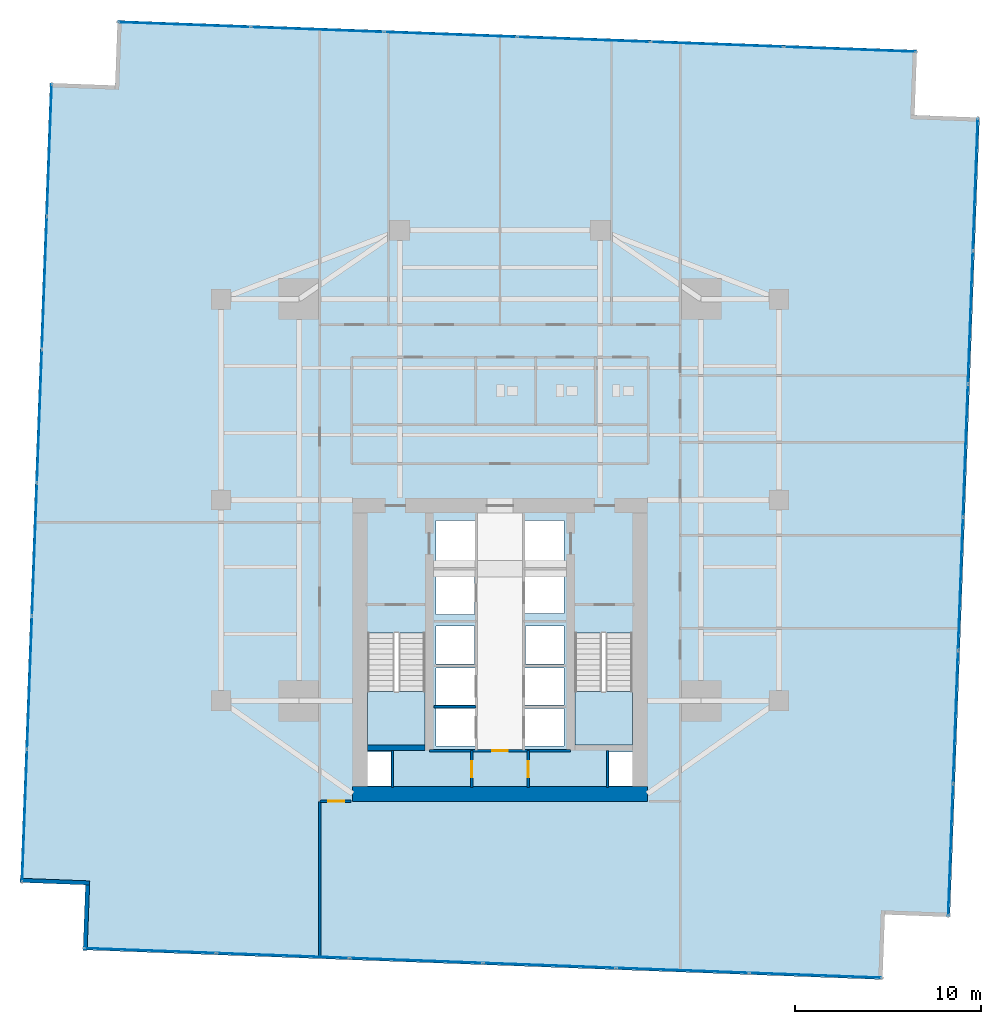
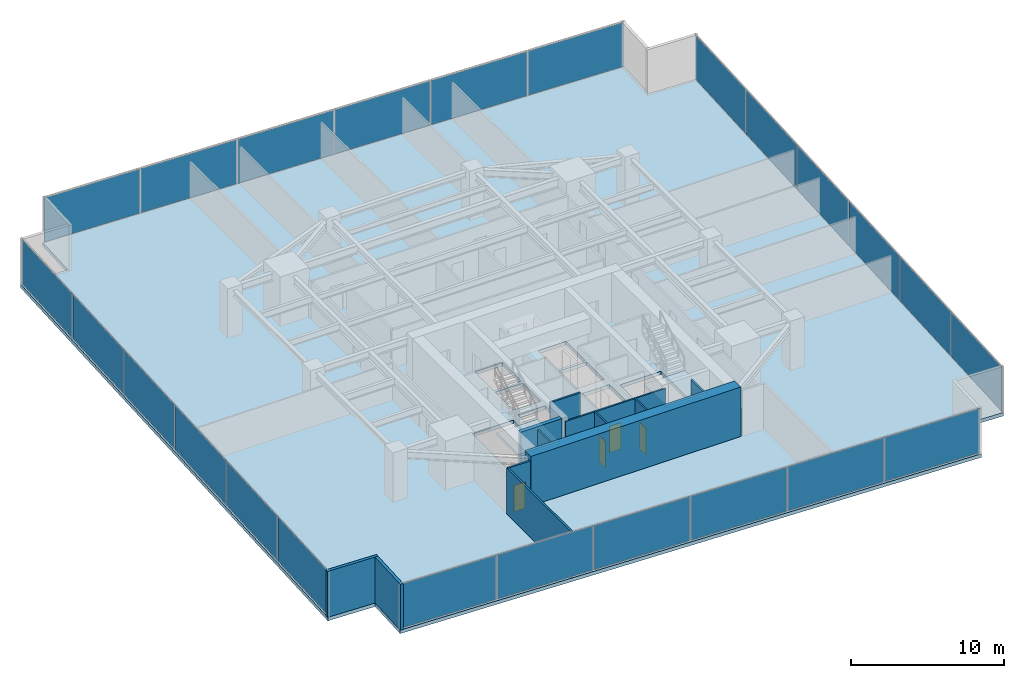
# One storey, part 26 of 30: 24 plates, 12 walls, 4 doors, 3 slabs, 4 openings, 6 elements without a shape of their own.
"""IFC4 building model written with IfcOpenShell, lengths in metres."""

import ifcopenshell
import ifcopenshell.guid

model = None  # the IFC model being written
_history = None  # IfcOwnerHistory: only IFC2X3 demands one
_inside = {}  # id of a spatial element -> (the spatial element, [elements in it])
_under = {}  # id of a project, library or spatial element -> (it, [spatial elements below it])
_declared = {}  # id of a project -> (the project, [libraries it declares])
_typed = {}  # id of a type object -> (the type object, [elements of that type])
_made_of = {}  # id of a material, layer set ... -> (it, [elements and type objects made of it])


def new_model(schema):
    """Start an empty IFC model of exactly this schema.

    Asked for "IFC4X3", IfcOpenShell would pick the latest addendum, in which some entities
    have other attributes; the version numbers below select the first issue.
    IFC2X3 requires an IfcOwnerHistory on every rooted entity: one is made here for all.
    """
    global model, _history
    if schema == "IFC4X3":
        model = ifcopenshell.file(schema_version=(4, 3, 0, 0))
    else:
        model = ifcopenshell.file(schema=schema)
    _inside.clear()
    _under.clear()
    _declared.clear()
    _typed.clear()
    _made_of.clear()
    _history = None
    if model.schema == "IFC2X3":
        org = make("IfcOrganization", Name="unknown")
        user = make(
            "IfcPersonAndOrganization",
            ThePerson=make("IfcPerson", FamilyName="unknown"),
            TheOrganization=org,
        )
        app = make(
            "IfcApplication",
            ApplicationDeveloper=org,
            Version="unknown",
            ApplicationFullName="unknown",
            ApplicationIdentifier="unknown",
        )
        _history = make(
            "IfcOwnerHistory",
            OwningUser=user,
            OwningApplication=app,
            ChangeAction="ADDED",
            CreationDate=0,
        )
    return model


def make(cls, **values):
    """One entity of the class cls with the attributes given. An attribute that is None is left unset."""
    return model.create_entity(
        cls, **{name: value for name, value in values.items() if value is not None}
    )


def rooted(cls, **values):
    """An entity with a GlobalId (a new one), such as an element, a storey or a relation."""
    return make(cls, GlobalId=ifcopenshell.guid.new(), OwnerHistory=_history, **values)


def si_unit(unit_type, name, prefix=None):
    """IfcSIUnit, for example si_unit("LENGTHUNIT", "METRE", prefix="MILLI")."""
    return make("IfcSIUnit", UnitType=unit_type, Prefix=prefix, Name=name)


def assignment(units):
    """IfcUnitAssignment: the units of a project."""
    return None if units is None else make("IfcUnitAssignment", Units=units)


def point(xyz):
    """IfcCartesianPoint."""
    return None if xyz is None else make("IfcCartesianPoint", Coordinates=xyz)


def direction(xyz):
    """IfcDirection."""
    return None if xyz is None else make("IfcDirection", DirectionRatios=xyz)


def frame(location, z_axis=None, x_axis=None):
    """IfcAxis2Placement3D, a coordinate frame: its origin and axes. An axis left out is left unset."""
    return make(
        "IfcAxis2Placement3D",
        Location=point(location),
        Axis=direction(z_axis),
        RefDirection=direction(x_axis),
    )


def frame_2d(location, x_axis=None):
    """IfcAxis2Placement2D, a coordinate frame in the plane: its origin and x axis."""
    return make(
        "IfcAxis2Placement2D", Location=point(location), RefDirection=direction(x_axis)
    )


def origin():
    """The frame at (0, 0, 0) with its axes left unset."""
    return frame((0.0, 0.0, 0.0))


def origin_2d():
    """The frame at (0, 0) in the plane with its x axis left unset."""
    return frame_2d((0.0, 0.0))


def place(relative_to, where):
    """IfcLocalPlacement: puts the frame where relative to a parent placement (None: the world)."""
    return make(
        "IfcLocalPlacement", PlacementRelTo=relative_to, RelativePlacement=where
    )


def context(
    kind, dimensions, precision=None, world=None, true_north=None, identifier=None
):
    """IfcGeometricRepresentationContext, for example the 3D "Model" context."""
    return make(
        "IfcGeometricRepresentationContext",
        ContextIdentifier=identifier,
        ContextType=kind,
        CoordinateSpaceDimension=dimensions,
        Precision=precision,
        WorldCoordinateSystem=world,
        TrueNorth=true_north,
    )


def subcontext(parent, identifier, kind, view, scale=None):
    """IfcGeometricRepresentationSubContext, for example "Body" below "Model"."""
    return make(
        "IfcGeometricRepresentationSubContext",
        ContextIdentifier=identifier,
        ContextType=kind,
        ParentContext=parent,
        TargetScale=scale,
        TargetView=view,
    )


def project(units=None, contexts=None):
    """IfcProject with its units and contexts."""
    return rooted(
        "IfcProject",
        Name="project",
        RepresentationContexts=contexts,
        UnitsInContext=assignment(units),
    )


def spatial(cls, under=None, at=None, **own):
    """A site, building, storey or space (cls), placed at a placement, below another one or the project."""
    s = rooted(cls, ObjectPlacement=at, **own)
    if under is not None:
        _under.setdefault(under.id(), (under, []))[1].append(s)
    return s


def polyline(points):
    """IfcPolyline through the points."""
    return make("IfcPolyline", Points=[point(p) for p in points])


def profile(cls, at=None, kind="AREA", **sizes):
    """A parametric profile (cls). Its sizes go by their IFC names, for example OverallWidth=200.0."""
    return make(cls, ProfileType=kind, Position=at, **sizes)


def rectangle(**sizes):
    """IfcRectangleProfileDef."""
    return profile("IfcRectangleProfileDef", **sizes)


def outline(outer, holes=None, kind="AREA"):
    """IfcArbitraryClosedProfileDef: a profile drawn as a closed curve; with holes, ...WithVoids."""
    if holes is None:
        return make("IfcArbitraryClosedProfileDef", ProfileType=kind, OuterCurve=outer)
    return make(
        "IfcArbitraryProfileDefWithVoids",
        ProfileType=kind,
        OuterCurve=outer,
        InnerCurves=holes,
    )


def extrude(swept, where, along, depth):
    """IfcExtrudedAreaSolid: the profile swept, set in the frame where, extruded along a direction by depth."""
    return make(
        "IfcExtrudedAreaSolid",
        SweptArea=swept,
        Position=where,
        ExtrudedDirection=direction(along),
        Depth=depth,
    )


def shape(context_of_items, identifier, shape_type, items):
    """IfcShapeRepresentation: the items that make up one representation, for example the "Body"."""
    return make(
        "IfcShapeRepresentation",
        ContextOfItems=context_of_items,
        RepresentationIdentifier=identifier,
        RepresentationType=shape_type,
        Items=items,
    )


def source(mapping_origin, context_of_items, identifier, shape_type, items):
    """IfcRepresentationMap: a shape defined once, which mapped items show again and again."""
    return make(
        "IfcRepresentationMap",
        MappingOrigin=mapping_origin,
        MappedRepresentation=shape(context_of_items, identifier, shape_type, items),
    )


def transform(
    local_origin,
    x_axis=None,
    y_axis=None,
    z_axis=None,
    scale=None,
    scale2=None,
    scale3=None,
    uniform=True,
):
    """IfcCartesianTransformationOperator3D, or its non-uniform kind. x_axis, y_axis, z_axis: its Axis1, 2, 3."""
    if uniform:
        return make(
            "IfcCartesianTransformationOperator3D",
            Axis1=direction(x_axis),
            Axis2=direction(y_axis),
            LocalOrigin=point(local_origin),
            Scale=scale,
            Axis3=direction(z_axis),
        )
    return make(
        "IfcCartesianTransformationOperator3DnonUniform",
        Axis1=direction(x_axis),
        Axis2=direction(y_axis),
        LocalOrigin=point(local_origin),
        Scale=scale,
        Axis3=direction(z_axis),
        Scale2=scale2,
        Scale3=scale3,
    )


def mapped(mapping_source, mapping_target):
    """IfcMappedItem: shows the shape of a source again, moved by a transform."""
    return make(
        "IfcMappedItem", MappingSource=mapping_source, MappingTarget=mapping_target
    )


def material(Name=None, Category=None):
    """IfcMaterial."""
    return make("IfcMaterial", Name=Name, Category=Category)


def layer(
    of_material, thickness, ventilated=None, Name=None, Category=None, Priority=None
):
    """IfcMaterialLayer: one layer of a wall or slab, of a material (None: an air gap)."""
    return make(
        "IfcMaterialLayer",
        Material=of_material,
        LayerThickness=thickness,
        IsVentilated=ventilated,
        Name=Name,
        Category=Category,
        Priority=Priority,
    )


def layer_set(layers, Name=None):
    """IfcMaterialLayerSet."""
    return make("IfcMaterialLayerSet", MaterialLayers=layers, LayerSetName=Name)


def made_of(thing, what):
    """Note that an element or type object is made of a material, layer set ...; save() writes the relation."""
    if what is not None:
        _made_of.setdefault(what.id(), (what, []))[1].append(thing)
    return thing


def type_object(cls, material=None, **own):
    """A type object (cls), such as IfcWallType, which elements share."""
    return made_of(rooted(cls, **own), material)


def type_shapes(of_type, sources):
    """Give a type object the sources (RepresentationMaps) that its elements show as mapped items."""
    of_type.RepresentationMaps = sources


def element(
    cls,
    number,
    at=None,
    inside=None,
    cuts=None,
    type_object=None,
    material=None,
    context=None,
    identifier="Body",
    shape_type=None,
    held_by="IfcProductDefinitionShape",
    body=None,
    shapes=None,
    **own,
):
    """One element of the class cls, such as IfcWall. Its Tag is "e" and its number.

    at: its placement. inside: the storey or other place that contains it. cuts: it is an
    opening in that element (IfcRelVoidsElement). A single representation is given by context,
    identifier, shape_type and body (its items); several are given by shapes. held_by: the class
    of the entity that holds the representations. save() writes the other relations.
    """
    e = rooted(cls, Tag="e%d" % number, ObjectPlacement=at, **own)
    if body is not None:
        shapes = [shape(context, identifier, shape_type, body)]
    if shapes is not None:
        e.Representation = make(held_by, Representations=shapes)
    if inside is not None:
        _inside.setdefault(inside.id(), (inside, []))[1].append(e)
    if cuts is not None:
        rooted(
            "IfcRelVoidsElement", RelatingBuildingElement=cuts, RelatedOpeningElement=e
        )
    if type_object is not None:
        _typed.setdefault(type_object.id(), (type_object, []))[1].append(e)
    return made_of(e, material)


def fill(opening, filler):
    """IfcRelFillsElement: the door or window that sits in an opening."""
    return rooted(
        "IfcRelFillsElement",
        RelatingOpeningElement=opening,
        RelatedBuildingElement=filler,
    )


def aggregate(whole, parts):
    """IfcRelAggregates: a whole, such as a stair, and the parts it consists of."""
    return rooted("IfcRelAggregates", RelatingObject=whole, RelatedObjects=parts)


def save(model, path):
    """Write the relations noted so far, then the file.

    IfcRelAggregates (storeys below a building ...), IfcRelContainedInSpatialStructure (elements
    in a storey), IfcRelDefinesByType, IfcRelAssociatesMaterial and IfcRelDeclares: one each for
    every whole, place, type object, material and project.
    """
    for whole, parts in _under.values():
        aggregate(whole, parts)
    for where, things in _inside.values():
        rooted(
            "IfcRelContainedInSpatialStructure",
            RelatedElements=things,
            RelatingStructure=where,
        )
    for kind, things in _typed.values():
        rooted("IfcRelDefinesByType", RelatedObjects=things, RelatingType=kind)
    for what, things in _made_of.values():
        rooted("IfcRelAssociatesMaterial", RelatedObjects=things, RelatingMaterial=what)
    for by, libraries in _declared.values():
        rooted("IfcRelDeclares", RelatingContext=by, RelatedDefinitions=libraries)
    model.write(path)


model = new_model("IFC4")

# Units and contexts
model_context = context("Model", 3, precision=1e-05, world=origin(), true_north=direction((0.0, 1.0)))
body_context = subcontext(model_context, "Body", "Model", "MODEL_VIEW")
ifc_project = project(units=[si_unit("LENGTHUNIT", "METRE"), si_unit("AREAUNIT", "SQUARE_METRE"), si_unit("VOLUMEUNIT", "CUBIC_METRE"), si_unit("PLANEANGLEUNIT", "RADIAN"), si_unit("MASSUNIT", "GRAM", prefix="KILO")], contexts=[model_context])

# Site, building, storey
site_placement = place(None, origin())
site = spatial("IfcSite", under=ifc_project, at=site_placement, CompositionType="ELEMENT")
building_placement = place(site_placement, origin())
building = spatial("IfcBuilding", under=site, at=building_placement, Name="Krantzveldt Concourse Tower", CompositionType="ELEMENT")
storey_placement = place(building_placement, frame((0.0, 0.0, 40.800048828125)))
storey = spatial("IfcBuildingStorey", under=building, at=storey_placement, Name="L09", CompositionType="ELEMENT", Elevation=40.800048828125)

# Stair, slab
ifc_material_1 = material(Name="Precast concrete C40/50", Category="concrete")
stair_type = type_object("IfcStairType", Name="STR-CORE-DOGLEG", PredefinedType="HALF_TURN_STAIR", material=ifc_material_1)
stair_1_placement = place(storey_placement, origin())
stair_1 = element("IfcStair", 1, at=stair_1_placement, inside=storey, type_object=stair_type, Name="L09 Protected Escape Stair ST-1", PredefinedType="HALF_TURN_STAIR")
ifc_layer_1 = layer(ifc_material_1, 0.199951171875, Name="Precast concrete C40/50", Category="concrete")
ifc_layer_set_1 = layer_set([ifc_layer_1], Name="Precast concrete C40/50 (SL-LANDING-200)")
slab_type_1 = type_object("IfcSlabType", Name="SL-LANDING-200", PredefinedType="LANDING", material=ifc_layer_set_1)
slab_1_placement = place(storey_placement, frame((0.0, 0.0, 1.77490234375)))
slab_1 = element("IfcSlab", 2, at=slab_1_placement, type_object=slab_type_1, Name="ST-1 landing 1", PredefinedType="LANDING", context=body_context, shape_type="SweptSolid", body=[
    extrude(outline(polyline([(28.8798828125, 16.4150390625), (28.8798828125, 13.52001953125), (31.97998046875, 13.52001953125), (31.97998046875, 16.4150390625), (28.8798828125, 16.4150390625)])), origin(), (0.0, 0.0, 1.0), 0.199951171875),
])
aggregate(stair_1, [slab_1])

stair_2_placement = place(storey_placement, origin())
stair_2 = element("IfcStair", 3, at=stair_2_placement, inside=storey, type_object=stair_type, Name="L09 Protected Escape Stair ST-2", PredefinedType="HALF_TURN_STAIR")
slab_2_placement = place(storey_placement, frame((0.0, 0.0, 1.77490234375)))
slab_2 = element("IfcSlab", 4, at=slab_2_placement, type_object=slab_type_1, Name="ST-2 landing 1", PredefinedType="LANDING", context=body_context, shape_type="SweptSolid", body=[
    extrude(outline(polyline([(40.02001953125, 16.4150390625), (40.02001953125, 13.52001953125), (43.1201171875, 13.52001953125), (43.1201171875, 16.4150390625), (40.02001953125, 16.4150390625)])), origin(), (0.0, 0.0, 1.0), 0.199951171875),
])
aggregate(stair_2, [slab_2])

# Slab
ifc_material_2 = material(Name="Concrete C40/50", Category="concrete")
ifc_layer_2 = layer(ifc_material_2, 0.280029296875, Name="Concrete C40/50", Category="concrete")
ifc_layer_set_2 = layer_set([ifc_layer_2], Name="Concrete C40/50 (SL-SL-TWR280)")
slab_type_2 = type_object("IfcSlabType", Name="SL-SL-TWR280", PredefinedType="FLOOR", material=ifc_layer_set_2)
slab_3_placement = place(storey_placement, frame((0.0, 0.0, -0.280029296875)))
element("IfcSlab", 5, at=slab_3_placement, inside=storey, type_object=slab_type_2, Name="SL-L09-MAIN", PredefinedType="FLOOR", context=body_context, shape_type="SweptSolid", body=[
    extrude(outline(polyline([(15.31201171875, 48.982421875), (11.814453125, 49.1123046875), (10.219970703125, 6.141845703125), (13.717529296875, 6.011962890625), (13.587890625, 2.514404296875), (56.55810546875, 0.919921875), (56.68798828125, 4.41748046875), (60.185546875, 4.287841796875), (61.780029296875, 47.25830078125), (58.282470703125, 47.387939453125), (58.412109375, 50.885498046875), (15.44189453125, 52.47998046875), (15.31201171875, 48.982421875)]), holes=[polyline([(28.8798828125, 19.547607421875), (28.8798828125, 13.52001953125), (31.97998046875, 13.52001953125), (31.97998046875, 19.547607421875), (28.8798828125, 19.547607421875)]), polyline([(40.02001953125, 19.547607421875), (40.02001953125, 13.52001953125), (43.1201171875, 13.52001953125), (43.1201171875, 19.547607421875), (40.02001953125, 19.547607421875)]), polyline([(32.550048828125, 23.10009765625), (34.64990234375, 23.10009765625), (34.64990234375, 25.60009765625), (32.550048828125, 25.60009765625), (32.550048828125, 23.10009765625)]), polyline([(37.35009765625, 23.10009765625), (39.449951171875, 23.10009765625), (39.449951171875, 25.60009765625), (37.35009765625, 25.60009765625), (37.35009765625, 23.10009765625)]), polyline([(37.35009765625, 20.60009765625), (39.449951171875, 20.60009765625), (39.449951171875, 22.89990234375), (37.35009765625, 22.89990234375), (37.35009765625, 20.60009765625)]), polyline([(32.550048828125, 13.47998046875), (34.64990234375, 13.47998046875), (34.64990234375, 15.47998046875), (32.550048828125, 15.47998046875), (32.550048828125, 13.47998046875)]), polyline([(32.550048828125, 15.679931640625), (34.64990234375, 15.679931640625), (34.64990234375, 17.679931640625), (32.550048828125, 17.679931640625), (32.550048828125, 15.679931640625)]), polyline([(37.35009765625, 13.47998046875), (39.449951171875, 13.47998046875), (39.449951171875, 15.47998046875), (37.35009765625, 15.47998046875), (37.35009765625, 13.47998046875)]), polyline([(37.35009765625, 15.679931640625), (39.449951171875, 15.679931640625), (39.449951171875, 17.679931640625), (37.35009765625, 17.679931640625), (37.35009765625, 15.679931640625)]), polyline([(32.550048828125, 20.550048828125), (34.6201171875, 20.550048828125), (34.6201171875, 22.89990234375), (32.550048828125, 22.89990234375), (32.550048828125, 20.550048828125)]), polyline([(32.550048828125, 17.8798828125), (34.6201171875, 17.8798828125), (34.6201171875, 19.919921875), (32.550048828125, 19.919921875), (32.550048828125, 17.8798828125)]), polyline([(37.3798828125, 17.8798828125), (39.449951171875, 17.8798828125), (39.449951171875, 19.919921875), (37.3798828125, 19.919921875), (37.3798828125, 17.8798828125)]), polyline([(28.8798828125, 11.320068359375), (30.139892578125, 11.320068359375), (30.139892578125, 13.159912109375), (28.8798828125, 13.159912109375), (28.8798828125, 11.320068359375)]), polyline([(41.860107421875, 11.320068359375), (43.1201171875, 11.320068359375), (43.1201171875, 13.159912109375), (41.860107421875, 13.159912109375), (41.860107421875, 11.320068359375)])]), origin(), (0.0, 0.0, 1.0), 0.280029296875),
])

# Curtain wall, plates
ifc_material_3 = material(Name="Anodised aluminium 6063-T6", Category="aluminium")
curtain_wall_type = type_object("IfcCurtainWallType", Name="CW2", PredefinedType="USERDEFINED", material=ifc_material_3)
curtain_wall_1_placement = place(storey_placement, origin())
curtain_wall_1 = element("IfcCurtainWall", 6, at=curtain_wall_1_placement, inside=storey, type_object=curtain_wall_type, Name="CW-L09-F01", ObjectType="UNITISED CURTAIN WALL", PredefinedType="USERDEFINED")
ifc_material_4 = material(Name="Bronze-tinted laminated low-E IGU glass", Category="glass")
ifc_layer_3 = layer(ifc_material_4, 0.031982421875, Name="Bronze-tinted laminated low-E IGU glass", Category="glass")
ifc_layer_set_3 = layer_set([ifc_layer_3], Name="Bronze-tinted laminated low-E IGU glass (CW-GLZ-32)")
plate_type = type_object("IfcPlateType", Name="CW-GLZ-32", PredefinedType="CURTAIN_PANEL", material=ifc_layer_set_3)
shared_shape_1 = source(origin(), body_context, "Body", "SweptSolid", [
    extrude(rectangle(XDim=7.061767578125, YDim=0.031982421875, at=origin_2d()), origin(), (0.0, 0.0, 1.0), 3.530029296875),
])
plate_1_placement = place(storey_placement, frame((11.770751953125, 45.510498046875, 0.06982421875), z_axis=(0.0, 0.0, 1.0), x_axis=(-0.037079766834, -0.999312308986, 0.0)))
plate_1 = element("IfcPlate", 7, at=plate_1_placement, type_object=plate_type, Name="CW-Z12 panel 1.1", PredefinedType="CURTAIN_PANEL", context=body_context, shape_type="MappedRepresentation", body=[
    mapped(shared_shape_1, transform((0.0, 0.0, 0.0), x_axis=(1.0, 0.0, 0.0), y_axis=(0.0, 1.0, 0.0), z_axis=(0.0, 0.0, 1.0), scale=1.0)),
])
plate_2_placement = place(storey_placement, frame((10.443359375, 9.73681640625, 0.06982421875), z_axis=(0.0, 0.0, 1.0), x_axis=(-0.037079766834, -0.999312308986, 0.0)))
plate_2 = element("IfcPlate", 8, at=plate_2_placement, type_object=plate_type, Name="CW-Z12 panel 6.1", PredefinedType="CURTAIN_PANEL", context=body_context, shape_type="MappedRepresentation", body=[
    mapped(shared_shape_1, transform((0.0, 0.0, 0.0), x_axis=(1.0, 0.0, 0.0), y_axis=(0.0, 1.0, 0.0), z_axis=(0.0, 0.0, 1.0), scale=1.0)),
])

curtain_wall_2_placement = place(storey_placement, origin())
curtain_wall_2 = element("IfcCurtainWall", 9, at=curtain_wall_2_placement, inside=storey, type_object=curtain_wall_type, Name="CW-L09-F04", ObjectType="UNITISED CURTAIN WALL", PredefinedType="USERDEFINED")
plate_3_placement = place(storey_placement, frame((17.189453125, 2.470947265625, 0.06982421875), z_axis=(0.0, 0.0, 1.0), x_axis=(0.999312308986, -0.037079766834, 0.0)))
plate_3 = element("IfcPlate", 10, at=plate_3_placement, type_object=plate_type, Name="CW-Z12 panel 1.1", PredefinedType="CURTAIN_PANEL", context=body_context, shape_type="MappedRepresentation", body=[
    mapped(shared_shape_1, transform((0.0, 0.0, 0.0), x_axis=(1.0, 0.0, 0.0), y_axis=(0.0, 1.0, 0.0), z_axis=(0.0, 0.0, 1.0), scale=1.0)),
])
plate_4_placement = place(storey_placement, frame((52.963134765625, 1.1435546875, 0.06982421875), z_axis=(0.0, 0.0, 1.0), x_axis=(0.999312308986, -0.037079766834, 0.0)))
plate_4 = element("IfcPlate", 11, at=plate_4_placement, type_object=plate_type, Name="CW-Z12 panel 6.1", PredefinedType="CURTAIN_PANEL", context=body_context, shape_type="MappedRepresentation", body=[
    mapped(shared_shape_1, transform((0.0, 0.0, 0.0), x_axis=(1.0, 0.0, 0.0), y_axis=(0.0, 1.0, 0.0), z_axis=(0.0, 0.0, 1.0), scale=1.0)),
])

curtain_wall_3_placement = place(storey_placement, origin())
curtain_wall_3 = element("IfcCurtainWall", 12, at=curtain_wall_3_placement, inside=storey, type_object=curtain_wall_type, Name="CW-L09-F07", ObjectType="UNITISED CURTAIN WALL", PredefinedType="USERDEFINED")
plate_5_placement = place(storey_placement, frame((60.229248046875, 7.889404296875, 0.06982421875), z_axis=(0.0, 0.0, 1.0), x_axis=(0.037079766834, 0.999312308986, 0.0)))
plate_5 = element("IfcPlate", 13, at=plate_5_placement, type_object=plate_type, Name="CW-Z12 panel 1.1", PredefinedType="CURTAIN_PANEL", context=body_context, shape_type="MappedRepresentation", body=[
    mapped(shared_shape_1, transform((0.0, 0.0, 0.0), x_axis=(1.0, 0.0, 0.0), y_axis=(0.0, 1.0, 0.0), z_axis=(0.0, 0.0, 1.0), scale=1.0)),
])
plate_6_placement = place(storey_placement, frame((61.556640625, 43.6630859375, 0.06982421875), z_axis=(0.0, 0.0, 1.0), x_axis=(0.037079766834, 0.999312308986, 0.0)))
plate_6 = element("IfcPlate", 14, at=plate_6_placement, type_object=plate_type, Name="CW-Z12 panel 6.1", PredefinedType="CURTAIN_PANEL", context=body_context, shape_type="MappedRepresentation", body=[
    mapped(shared_shape_1, transform((0.0, 0.0, 0.0), x_axis=(1.0, 0.0, 0.0), y_axis=(0.0, 1.0, 0.0), z_axis=(0.0, 0.0, 1.0), scale=1.0)),
])

curtain_wall_4_placement = place(storey_placement, origin())
curtain_wall_4 = element("IfcCurtainWall", 15, at=curtain_wall_4_placement, inside=storey, type_object=curtain_wall_type, Name="CW-L09-F10", ObjectType="UNITISED CURTAIN WALL", PredefinedType="USERDEFINED")
plate_7_placement = place(storey_placement, frame((54.810546875, 50.92919921875, 0.06982421875), z_axis=(0.0, 0.0, 1.0), x_axis=(-0.999312308986, 0.037079766834, 0.0)))
plate_7 = element("IfcPlate", 16, at=plate_7_placement, type_object=plate_type, Name="CW-Z12 panel 1.1", PredefinedType="CURTAIN_PANEL", context=body_context, shape_type="MappedRepresentation", body=[
    mapped(shared_shape_1, transform((0.0, 0.0, 0.0), x_axis=(1.0, 0.0, 0.0), y_axis=(0.0, 1.0, 0.0), z_axis=(0.0, 0.0, 1.0), scale=1.0)),
])
plate_8_placement = place(storey_placement, frame((19.036865234375, 52.256591796875, 0.06982421875), z_axis=(0.0, 0.0, 1.0), x_axis=(-0.999312308986, 0.037079766834, 0.0)))
plate_8 = element("IfcPlate", 17, at=plate_8_placement, type_object=plate_type, Name="CW-Z12 panel 6.1", PredefinedType="CURTAIN_PANEL", context=body_context, shape_type="MappedRepresentation", body=[
    mapped(shared_shape_1, transform((0.0, 0.0, 0.0), x_axis=(1.0, 0.0, 0.0), y_axis=(0.0, 1.0, 0.0), z_axis=(0.0, 0.0, 1.0), scale=1.0)),
])

# Plate
shared_shape_2 = source(origin(), body_context, "Body", "SweptSolid", [
    extrude(rectangle(XDim=7.0966796875, YDim=0.031982421875, at=origin_2d()), origin(), (0.0, 0.0, 1.0), 3.530029296875),
])
type_shapes(plate_type, [shared_shape_1, shared_shape_2])
plate_9_placement = place(storey_placement, frame((11.505859375, 38.3662109375, 0.06982421875), z_axis=(0.0, 0.0, 1.0), x_axis=(-0.037079766834, -0.999312308986, 0.0)))
plate_9 = element("IfcPlate", 18, at=plate_9_placement, type_object=plate_type, Name="CW-Z12 panel 2.1", PredefinedType="CURTAIN_PANEL", context=body_context, shape_type="MappedRepresentation", body=[
    mapped(shared_shape_2, transform((0.0, 0.0, 0.0), x_axis=(1.0, 0.0, 0.0), y_axis=(0.0, 1.0, 0.0), z_axis=(0.0, 0.0, 1.0), scale=1.0)),
])

plate_10_placement = place(storey_placement, frame((11.239990234375, 31.20458984375, 0.06982421875), z_axis=(0.0, 0.0, 1.0), x_axis=(-0.037079766834, -0.999312308986, 0.0)))
plate_10 = element("IfcPlate", 19, at=plate_10_placement, type_object=plate_type, Name="CW-Z12 panel 3.1", PredefinedType="CURTAIN_PANEL", context=body_context, shape_type="MappedRepresentation", body=[
    mapped(shared_shape_2, transform((0.0, 0.0, 0.0), x_axis=(1.0, 0.0, 0.0), y_axis=(0.0, 1.0, 0.0), z_axis=(0.0, 0.0, 1.0), scale=1.0)),
])

plate_11_placement = place(storey_placement, frame((10.974365234375, 24.042724609375, 0.06982421875), z_axis=(0.0, 0.0, 1.0), x_axis=(-0.037079766834, -0.999312308986, 0.0)))
plate_11 = element("IfcPlate", 20, at=plate_11_placement, type_object=plate_type, Name="CW-Z12 panel 4.1", PredefinedType="CURTAIN_PANEL", context=body_context, shape_type="MappedRepresentation", body=[
    mapped(shared_shape_2, transform((0.0, 0.0, 0.0), x_axis=(1.0, 0.0, 0.0), y_axis=(0.0, 1.0, 0.0), z_axis=(0.0, 0.0, 1.0), scale=1.0)),
])

plate_12_placement = place(storey_placement, frame((10.70849609375, 16.881103515625, 0.06982421875), z_axis=(0.0, 0.0, 1.0), x_axis=(-0.037079766834, -0.999312308986, 0.0)))
plate_12 = element("IfcPlate", 21, at=plate_12_placement, type_object=plate_type, Name="CW-Z12 panel 5.1", PredefinedType="CURTAIN_PANEL", context=body_context, shape_type="MappedRepresentation", body=[
    mapped(shared_shape_2, transform((0.0, 0.0, 0.0), x_axis=(1.0, 0.0, 0.0), y_axis=(0.0, 1.0, 0.0), z_axis=(0.0, 0.0, 1.0), scale=1.0)),
])

aggregate(curtain_wall_1, [plate_1, plate_9, plate_10, plate_11, plate_12, plate_2])

plate_13_placement = place(storey_placement, frame((24.333740234375, 2.205810546875, 0.06982421875), z_axis=(0.0, 0.0, 1.0), x_axis=(0.999312308986, -0.037079766834, 0.0)))
plate_13 = element("IfcPlate", 22, at=plate_13_placement, type_object=plate_type, Name="CW-Z12 panel 2.1", PredefinedType="CURTAIN_PANEL", context=body_context, shape_type="MappedRepresentation", body=[
    mapped(shared_shape_2, transform((0.0, 0.0, 0.0), x_axis=(1.0, 0.0, 0.0), y_axis=(0.0, 1.0, 0.0), z_axis=(0.0, 0.0, 1.0), scale=1.0)),
])

plate_14_placement = place(storey_placement, frame((31.495361328125, 1.93994140625, 0.06982421875), z_axis=(0.0, 0.0, 1.0), x_axis=(0.999312308986, -0.037079766834, 0.0)))
plate_14 = element("IfcPlate", 23, at=plate_14_placement, type_object=plate_type, Name="CW-Z12 panel 3.1", PredefinedType="CURTAIN_PANEL", context=body_context, shape_type="MappedRepresentation", body=[
    mapped(shared_shape_2, transform((0.0, 0.0, 0.0), x_axis=(1.0, 0.0, 0.0), y_axis=(0.0, 1.0, 0.0), z_axis=(0.0, 0.0, 1.0), scale=1.0)),
])

plate_15_placement = place(storey_placement, frame((38.6572265625, 1.67431640625, 0.06982421875), z_axis=(0.0, 0.0, 1.0), x_axis=(0.999312308986, -0.037079766834, 0.0)))
plate_15 = element("IfcPlate", 24, at=plate_15_placement, type_object=plate_type, Name="CW-Z12 panel 4.1", PredefinedType="CURTAIN_PANEL", context=body_context, shape_type="MappedRepresentation", body=[
    mapped(shared_shape_2, transform((0.0, 0.0, 0.0), x_axis=(1.0, 0.0, 0.0), y_axis=(0.0, 1.0, 0.0), z_axis=(0.0, 0.0, 1.0), scale=1.0)),
])

plate_16_placement = place(storey_placement, frame((45.81884765625, 1.408447265625, 0.06982421875), z_axis=(0.0, 0.0, 1.0), x_axis=(0.999312308986, -0.037079766834, 0.0)))
plate_16 = element("IfcPlate", 25, at=plate_16_placement, type_object=plate_type, Name="CW-Z12 panel 5.1", PredefinedType="CURTAIN_PANEL", context=body_context, shape_type="MappedRepresentation", body=[
    mapped(shared_shape_2, transform((0.0, 0.0, 0.0), x_axis=(1.0, 0.0, 0.0), y_axis=(0.0, 1.0, 0.0), z_axis=(0.0, 0.0, 1.0), scale=1.0)),
])

aggregate(curtain_wall_2, [plate_3, plate_13, plate_14, plate_15, plate_16, plate_4])

plate_17_placement = place(storey_placement, frame((60.494140625, 15.03369140625, 0.06982421875), z_axis=(0.0, 0.0, 1.0), x_axis=(0.037079766834, 0.999312308986, 0.0)))
plate_17 = element("IfcPlate", 26, at=plate_17_placement, type_object=plate_type, Name="CW-Z12 panel 2.1", PredefinedType="CURTAIN_PANEL", context=body_context, shape_type="MappedRepresentation", body=[
    mapped(shared_shape_2, transform((0.0, 0.0, 0.0), x_axis=(1.0, 0.0, 0.0), y_axis=(0.0, 1.0, 0.0), z_axis=(0.0, 0.0, 1.0), scale=1.0)),
])

plate_18_placement = place(storey_placement, frame((60.760009765625, 22.195556640625, 0.06982421875), z_axis=(0.0, 0.0, 1.0), x_axis=(0.037079766834, 0.999312308986, 0.0)))
plate_18 = element("IfcPlate", 27, at=plate_18_placement, type_object=plate_type, Name="CW-Z12 panel 3.1", PredefinedType="CURTAIN_PANEL", context=body_context, shape_type="MappedRepresentation", body=[
    mapped(shared_shape_2, transform((0.0, 0.0, 0.0), x_axis=(1.0, 0.0, 0.0), y_axis=(0.0, 1.0, 0.0), z_axis=(0.0, 0.0, 1.0), scale=1.0)),
])

plate_19_placement = place(storey_placement, frame((61.025634765625, 29.357177734375, 0.06982421875), z_axis=(0.0, 0.0, 1.0), x_axis=(0.037079766834, 0.999312308986, 0.0)))
plate_19 = element("IfcPlate", 28, at=plate_19_placement, type_object=plate_type, Name="CW-Z12 panel 4.1", PredefinedType="CURTAIN_PANEL", context=body_context, shape_type="MappedRepresentation", body=[
    mapped(shared_shape_2, transform((0.0, 0.0, 0.0), x_axis=(1.0, 0.0, 0.0), y_axis=(0.0, 1.0, 0.0), z_axis=(0.0, 0.0, 1.0), scale=1.0)),
])

plate_20_placement = place(storey_placement, frame((61.29150390625, 36.51904296875, 0.06982421875), z_axis=(0.0, 0.0, 1.0), x_axis=(0.037079766834, 0.999312308986, 0.0)))
plate_20 = element("IfcPlate", 29, at=plate_20_placement, type_object=plate_type, Name="CW-Z12 panel 5.1", PredefinedType="CURTAIN_PANEL", context=body_context, shape_type="MappedRepresentation", body=[
    mapped(shared_shape_2, transform((0.0, 0.0, 0.0), x_axis=(1.0, 0.0, 0.0), y_axis=(0.0, 1.0, 0.0), z_axis=(0.0, 0.0, 1.0), scale=1.0)),
])

aggregate(curtain_wall_3, [plate_5, plate_17, plate_18, plate_19, plate_20, plate_6])

plate_21_placement = place(storey_placement, frame((47.666259765625, 51.1943359375, 0.06982421875), z_axis=(0.0, 0.0, 1.0), x_axis=(-0.999312308986, 0.037079766834, 0.0)))
plate_21 = element("IfcPlate", 30, at=plate_21_placement, type_object=plate_type, Name="CW-Z12 panel 2.1", PredefinedType="CURTAIN_PANEL", context=body_context, shape_type="MappedRepresentation", body=[
    mapped(shared_shape_2, transform((0.0, 0.0, 0.0), x_axis=(1.0, 0.0, 0.0), y_axis=(0.0, 1.0, 0.0), z_axis=(0.0, 0.0, 1.0), scale=1.0)),
])

plate_22_placement = place(storey_placement, frame((40.504638671875, 51.4599609375, 0.06982421875), z_axis=(0.0, 0.0, 1.0), x_axis=(-0.999312308986, 0.037079766834, 0.0)))
plate_22 = element("IfcPlate", 31, at=plate_22_placement, type_object=plate_type, Name="CW-Z12 panel 3.1", PredefinedType="CURTAIN_PANEL", context=body_context, shape_type="MappedRepresentation", body=[
    mapped(shared_shape_2, transform((0.0, 0.0, 0.0), x_axis=(1.0, 0.0, 0.0), y_axis=(0.0, 1.0, 0.0), z_axis=(0.0, 0.0, 1.0), scale=1.0)),
])

plate_23_placement = place(storey_placement, frame((33.3427734375, 51.725830078125, 0.06982421875), z_axis=(0.0, 0.0, 1.0), x_axis=(-0.999312308986, 0.037079766834, 0.0)))
plate_23 = element("IfcPlate", 32, at=plate_23_placement, type_object=plate_type, Name="CW-Z12 panel 4.1", PredefinedType="CURTAIN_PANEL", context=body_context, shape_type="MappedRepresentation", body=[
    mapped(shared_shape_2, transform((0.0, 0.0, 0.0), x_axis=(1.0, 0.0, 0.0), y_axis=(0.0, 1.0, 0.0), z_axis=(0.0, 0.0, 1.0), scale=1.0)),
])

plate_24_placement = place(storey_placement, frame((26.18115234375, 51.991455078125, 0.06982421875), z_axis=(0.0, 0.0, 1.0), x_axis=(-0.999312308986, 0.037079766834, 0.0)))
plate_24 = element("IfcPlate", 33, at=plate_24_placement, type_object=plate_type, Name="CW-Z12 panel 5.1", PredefinedType="CURTAIN_PANEL", context=body_context, shape_type="MappedRepresentation", body=[
    mapped(shared_shape_2, transform((0.0, 0.0, 0.0), x_axis=(1.0, 0.0, 0.0), y_axis=(0.0, 1.0, 0.0), z_axis=(0.0, 0.0, 1.0), scale=1.0)),
])

aggregate(curtain_wall_4, [plate_7, plate_21, plate_22, plate_23, plate_24, plate_8])

# Walls
ifc_layer_4 = layer(ifc_material_3, 0.219970703125, Name="Anodised aluminium 6063-T6", Category="aluminium")
ifc_layer_set_4 = layer_set([ifc_layer_4], Name="Anodised aluminium 6063-T6 (WL-EXT-NOTCH220)")
wall_type_1 = type_object("IfcWallType", Name="WL-EXT-NOTCH220", PredefinedType="ELEMENTEDWALL", material=ifc_layer_set_4)
wall_1_placement = place(storey_placement, frame((10.198974609375, 6.252685546875, 0.0), z_axis=(0.0, 0.0, 1.0), x_axis=(0.999311794114, -0.037093640215, 0.0)))
element("IfcWall", 34, at=wall_1_placement, inside=storey, type_object=wall_type_1, Name="EW-L09-NCH02", PredefinedType="ELEMENTEDWALL", context=body_context, shape_type="SweptSolid", body=[
    extrude(rectangle(XDim=3.7451171875, YDim=0.219970703125, at=frame_2d((1.87255859375, 0.0))), origin(), (0.0, 0.0, 1.0), 3.669921875),
])
wall_2_placement = place(storey_placement, frame((13.827392578125, 6.0078125, 0.0), z_axis=(0.0, 0.0, 1.0), x_axis=(-0.03705521019, -0.999313219865, 0.0)))
element("IfcWall", 35, at=wall_2_placement, inside=storey, type_object=wall_type_1, Name="EW-L09-NCH03", PredefinedType="ELEMENTEDWALL", context=body_context, shape_type="SweptSolid", body=[
    extrude(rectangle(XDim=3.52490234375, YDim=0.219970703125, at=frame_2d((1.762451171875, 0.0))), origin(), (0.0, 0.0, 1.0), 3.669921875),
])

# Wall, opening, door
ifc_material_5 = material(Name="Fire-rated gypsum plasterboard on steel stud", Category="steel")
ifc_layer_5 = layer(ifc_material_5, 0.1201171875, Name="Fire-rated gypsum plasterboard on steel stud", Category="steel")
ifc_layer_set_5 = layer_set([ifc_layer_5], Name="Fire-rated gypsum plasterboard on steel stud (WL-PART-120)")
wall_type_2 = type_object("IfcWallType", Name="WL-PART-120", PredefinedType="PARTITIONING", material=ifc_layer_set_5)
wall_3_placement = place(storey_placement, frame((32.2099609375, 13.219970703125, 0.0), z_axis=(0.0, 0.0, 1.0), x_axis=(1.0, 0.0, 0.0)))
wall_3 = element("IfcWall", 36, at=wall_3_placement, inside=storey, type_object=wall_type_2, Name="WP-L09-CS2H", PredefinedType="PARTITIONING", context=body_context, shape_type="SweptSolid", body=[
    extrude(rectangle(XDim=7.580078125, YDim=0.1201171875, at=frame_2d((3.7900390625, 0.0))), origin(), (0.0, 0.0, 1.0), 3.669921875),
])
opening_1_placement = place(wall_3_placement, frame((3.364990234375, 0.0, 0.0)))
opening_1 = element("IfcOpeningElement", 37, at=opening_1_placement, cuts=wall_3, Name="Opening D-IN085", PredefinedType="OPENING", context=body_context, shape_type="SweptSolid", body=[
    extrude(rectangle(XDim=0.85009765625, YDim=2.10009765625, at=frame_2d((0.425048828125, 1.050048828125))), frame((0.0, 0.070068359375, 0.0), z_axis=(0.0, -1.0, 0.0), x_axis=(1.0, 0.0, 0.0)), (0.0, 0.0, 1.0), 0.14013671875),
])
ifc_material_6 = material(Name="Hardwood timber", Category="wood")
door_type = type_object("IfcDoorType", Name="DR-INT-850", OperationType="SINGLE_SWING_LEFT", PredefinedType="DOOR", material=ifc_material_6)
door_1_placement = place(opening_1_placement, origin())
door_1 = element("IfcDoor", 38, at=door_1_placement, inside=storey, type_object=door_type, Name="DR-L09-LLBS", OperationType="SINGLE_SWING_RIGHT", OverallHeight=2.10009765625, OverallWidth=0.85009765625, PredefinedType="DOOR", context=body_context, shape_type="SweptSolid", body=[
    extrude(rectangle(XDim=0.85009765625, YDim=2.10009765625, at=frame_2d((0.425048828125, 1.050048828125))), frame((0.0, 0.02490234375, 0.0), z_axis=(0.0, -1.0, 0.0), x_axis=(1.0, 0.0, 0.0)), (0.0, 0.0, 1.0), 0.050048828125),
])
fill(opening_1, door_1)

wall_4_placement = place(storey_placement, frame((34.47998046875, 11.25, 0.0), z_axis=(0.0, 0.0, 1.0), x_axis=(0.0, 1.0, 0.0)))
wall_4 = element("IfcWall", 39, at=wall_4_placement, inside=storey, type_object=wall_type_2, Name="WP-L09-CSB-VL", PredefinedType="PARTITIONING", context=body_context, shape_type="SweptSolid", body=[
    extrude(rectangle(XDim=1.969970703125, YDim=0.1201171875, at=frame_2d((0.98486328125, 0.0))), origin(), (0.0, 0.0, 1.0), 3.669921875),
])
opening_2_placement = place(wall_4_placement, frame((0.544921875, 0.0, 0.0)))
opening_2 = element("IfcOpeningElement", 40, at=opening_2_placement, cuts=wall_4, Name="Opening D-IN085", PredefinedType="OPENING", context=body_context, shape_type="SweptSolid", body=[
    extrude(rectangle(XDim=0.85009765625, YDim=2.10009765625, at=frame_2d((0.425048828125, 1.050048828125))), frame((0.0, 0.070068359375, 0.0), z_axis=(0.0, -1.0, 0.0), x_axis=(1.0, 0.0, 0.0)), (0.0, 0.0, 1.0), 0.14013671875),
])
door_2_placement = place(opening_2_placement, origin())
door_2 = element("IfcDoor", 41, at=door_2_placement, inside=storey, type_object=door_type, Name="DR-L09-CSB1", OperationType="SINGLE_SWING_LEFT", OverallHeight=2.10009765625, OverallWidth=0.85009765625, PredefinedType="DOOR", context=body_context, shape_type="SweptSolid", body=[
    extrude(rectangle(XDim=0.85009765625, YDim=2.10009765625, at=frame_2d((0.425048828125, 1.050048828125))), frame((0.0, 0.02490234375, 0.0), z_axis=(0.0, -1.0, 0.0), x_axis=(1.0, 0.0, 0.0)), (0.0, 0.0, 1.0), 0.050048828125),
])
fill(opening_2, door_2)

wall_5_placement = place(storey_placement, frame((37.52001953125, 11.25, 0.0), z_axis=(0.0, 0.0, 1.0), x_axis=(0.0, 1.0, 0.0)))
wall_5 = element("IfcWall", 42, at=wall_5_placement, inside=storey, type_object=wall_type_2, Name="WP-L09-CSB-VR", PredefinedType="PARTITIONING", context=body_context, shape_type="SweptSolid", body=[
    extrude(rectangle(XDim=1.969970703125, YDim=0.1201171875, at=frame_2d((0.98486328125, 0.0))), origin(), (0.0, 0.0, 1.0), 3.669921875),
])
opening_3_placement = place(wall_5_placement, frame((0.544921875, 0.0, 0.0)))
opening_3 = element("IfcOpeningElement", 43, at=opening_3_placement, cuts=wall_5, Name="Opening D-IN085", PredefinedType="OPENING", context=body_context, shape_type="SweptSolid", body=[
    extrude(rectangle(XDim=0.85009765625, YDim=2.10009765625, at=frame_2d((0.425048828125, 1.050048828125))), frame((0.0, 0.070068359375, 0.0), z_axis=(0.0, -1.0, 0.0), x_axis=(1.0, 0.0, 0.0)), (0.0, 0.0, 1.0), 0.14013671875),
])
door_3_placement = place(opening_3_placement, origin())
door_3 = element("IfcDoor", 44, at=door_3_placement, inside=storey, type_object=door_type, Name="DR-L09-CSB2", OperationType="SINGLE_SWING_RIGHT", OverallHeight=2.10009765625, OverallWidth=0.85009765625, PredefinedType="DOOR", context=body_context, shape_type="SweptSolid", body=[
    extrude(rectangle(XDim=0.85009765625, YDim=2.10009765625, at=frame_2d((0.425048828125, 1.050048828125))), frame((0.0, 0.02490234375, 0.0), z_axis=(0.0, -1.0, 0.0), x_axis=(1.0, 0.0, 0.0)), (0.0, 0.0, 1.0), 0.050048828125),
])
fill(opening_3, door_3)

ifc_layer_6 = layer(ifc_material_5, 0.139892578125, Name="Fire-rated gypsum plasterboard on steel stud", Category="steel")
ifc_layer_set_6 = layer_set([ifc_layer_6], Name="Fire-rated gypsum plasterboard on steel stud (WL-PART-140)")
wall_type_3 = type_object("IfcWallType", Name="WL-PART-140", PredefinedType="PARTITIONING", material=ifc_layer_set_6)
wall_6_placement = place(storey_placement, frame((26.320068359375, 10.5, 0.0), z_axis=(0.0, 0.0, 1.0), x_axis=(1.0, 0.0, 0.0)))
wall_6 = element("IfcWall", 45, at=wall_6_placement, inside=storey, type_object=wall_type_3, Name="WP-L09-CWBOT", PredefinedType="PARTITIONING", context=body_context, shape_type="SweptSolid", body=[
    extrude(rectangle(XDim=1.679931640625, YDim=0.139892578125, at=frame_2d((0.83984375, 0.0))), origin(), (0.0, 0.0, 1.0), 3.669921875),
])
opening_4_placement = place(wall_6_placement, frame((0.445068359375, 0.0, 0.0)))
opening_4 = element("IfcOpeningElement", 46, at=opening_4_placement, cuts=wall_6, Name="Opening D-IN085", PredefinedType="OPENING", context=body_context, shape_type="SweptSolid", body=[
    extrude(rectangle(XDim=0.85009765625, YDim=2.10009765625, at=frame_2d((0.425048828125, 1.050048828125))), frame((0.0, 0.080078125, 0.0), z_axis=(0.0, -1.0, 0.0), x_axis=(1.0, 0.0, 0.0)), (0.0, 0.0, 1.0), 0.159912109375),
])
door_4_placement = place(opening_4_placement, origin())
door_4 = element("IfcDoor", 47, at=door_4_placement, inside=storey, type_object=door_type, Name="DR-L09-SR1", OperationType="SINGLE_SWING_LEFT", OverallHeight=2.10009765625, OverallWidth=0.85009765625, PredefinedType="DOOR", context=body_context, shape_type="SweptSolid", body=[
    extrude(rectangle(XDim=0.85009765625, YDim=2.10009765625, at=frame_2d((0.425048828125, 1.050048828125))), frame((0.0, 0.02490234375, 0.0), z_axis=(0.0, -1.0, 0.0), x_axis=(1.0, 0.0, 0.0)), (0.0, 0.0, 1.0), 0.050048828125),
])
fill(opening_4, door_4)

# Walls
wall_7_placement = place(storey_placement, frame((26.320068359375, 2.132080078125, 0.0), z_axis=(0.0, 0.0, 1.0), x_axis=(0.0, 1.0, 0.0)))
element("IfcWall", 48, at=wall_7_placement, inside=storey, type_object=wall_type_3, Name="WP-L09-SWL", PredefinedType="PARTITIONING", context=body_context, shape_type="SweptSolid", body=[
    extrude(rectangle(XDim=8.367919921875, YDim=0.139892578125, at=frame_2d((4.18408203125, 0.0))), origin(), (0.0, 0.0, 1.0), 3.669921875),
])
ifc_layer_7 = layer(ifc_material_5, 0.139892578125, Name="Fire-rated gypsum plasterboard on steel stud", Category="steel")
ifc_layer_set_7 = layer_set([ifc_layer_7], Name="Fire-rated gypsum plasterboard on steel stud (WL-PART-FR140)")
wall_type_4 = type_object("IfcWallType", Name="WL-PART-FR140", PredefinedType="PARTITIONING", material=ifc_layer_set_7)
wall_8_placement = place(storey_placement, frame((32.449951171875, 15.580078125, 0.0), z_axis=(0.0, 0.0, 1.0), x_axis=(1.0, 0.0, 0.0)))
element("IfcWall", 49, at=wall_8_placement, inside=storey, type_object=wall_type_4, Name="WP-L09-DIVW1", PredefinedType="PARTITIONING", context=body_context, shape_type="SweptSolid", body=[
    extrude(rectangle(XDim=2.27001953125, YDim=0.139892578125, at=frame_2d((1.135009765625, 0.0))), origin(), (0.0, 0.0, 1.0), 3.669921875),
])
for number, where, z_axis, x_axis, name in (
    (50, (30.219970703125, 11.25, 0.0), (0.0, 0.0, 1.0), (0.0, 1.0, 0.0), "WP-L09-RSW"),
    (51, (41.780029296875, 11.25, 0.0), (0.0, 0.0, 1.0), (0.0, 1.0, 0.0), "WP-L09-RSE"),
):
    element("IfcWall", number, at=place(storey_placement, frame(where, z_axis=z_axis, x_axis=x_axis)), inside=storey, type_object=wall_type_4, Name=name, PredefinedType="PARTITIONING", context=body_context, shape_type="SweptSolid", body=[
        extrude(rectangle(XDim=1.969970703125, YDim=0.1201171875, at=frame_2d((0.98486328125, 0.0))), origin(), (0.0, 0.0, 1.0), 3.669921875),
    ])
ifc_material_7 = material(Name="Concrete C50/60", Category="concrete")
ifc_layer_8 = layer(ifc_material_7, 0.300048828125, Name="Concrete C50/60", Category="concrete")
ifc_layer_set_8 = layer_set([ifc_layer_8], Name="Concrete C50/60 (WL-SHEAR-300)")
wall_type_5 = type_object("IfcWallType", Name="WL-SHEAR-300", PredefinedType="SHEAR", material=ifc_layer_set_8)
wall_9_placement = place(storey_placement, frame((28.8798828125, 13.3701171875, 0.0), z_axis=(0.0, 0.0, 1.0), x_axis=(1.0, 0.0, 0.0)))
element("IfcWall", 52, at=wall_9_placement, inside=storey, type_object=wall_type_5, Name="CW-L09-ST1S", PredefinedType="SHEAR", context=body_context, shape_type="SweptSolid", body=[
    extrude(rectangle(XDim=3.10009765625, YDim=0.300048828125, at=frame_2d((1.550048828125, 0.0))), origin(), (0.0, 0.0, 1.0), 3.949951171875),
])
ifc_material_8 = material(Name="Concrete C60/75", Category="concrete")
ifc_layer_9 = layer(ifc_material_8, 0.800048828125, Name="Concrete C60/75", Category="concrete")
ifc_layer_set_9 = layer_set([ifc_layer_9], Name="Concrete C60/75 (WL-SHEAR-800)")
wall_type_6 = type_object("IfcWallType", Name="WL-SHEAR-800", PredefinedType="SHEAR", material=ifc_layer_set_9)
wall_10_placement = place(storey_placement, frame((28.080078125, 10.89990234375, 0.0), z_axis=(0.0, 0.0, 1.0), x_axis=(1.0, 0.0, 0.0)))
element("IfcWall", 53, at=wall_10_placement, inside=storey, type_object=wall_type_6, Name="CW-L09-S", PredefinedType="SHEAR", context=body_context, shape_type="SweptSolid", body=[
    extrude(rectangle(XDim=15.83984375, YDim=0.800048828125, at=frame_2d((7.919921875, 0.0))), origin(), (0.0, 0.0, 1.0), 3.949951171875),
])

save(model, "model.ifc")
